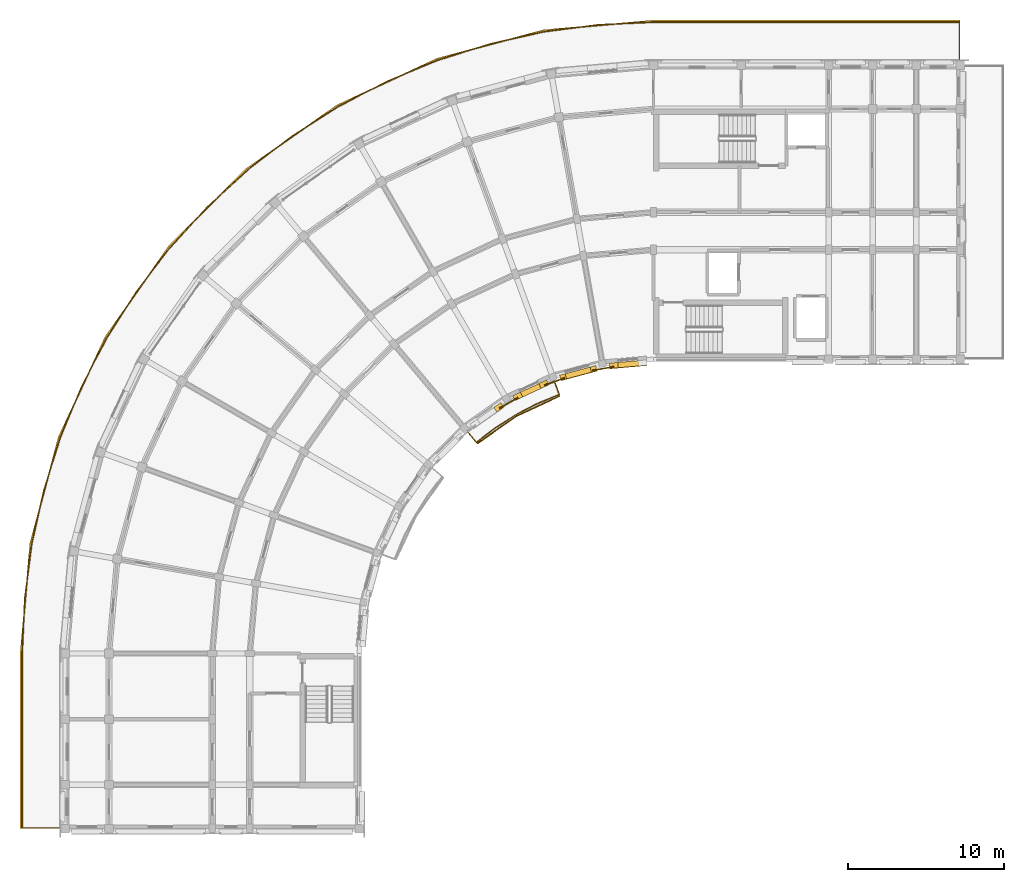
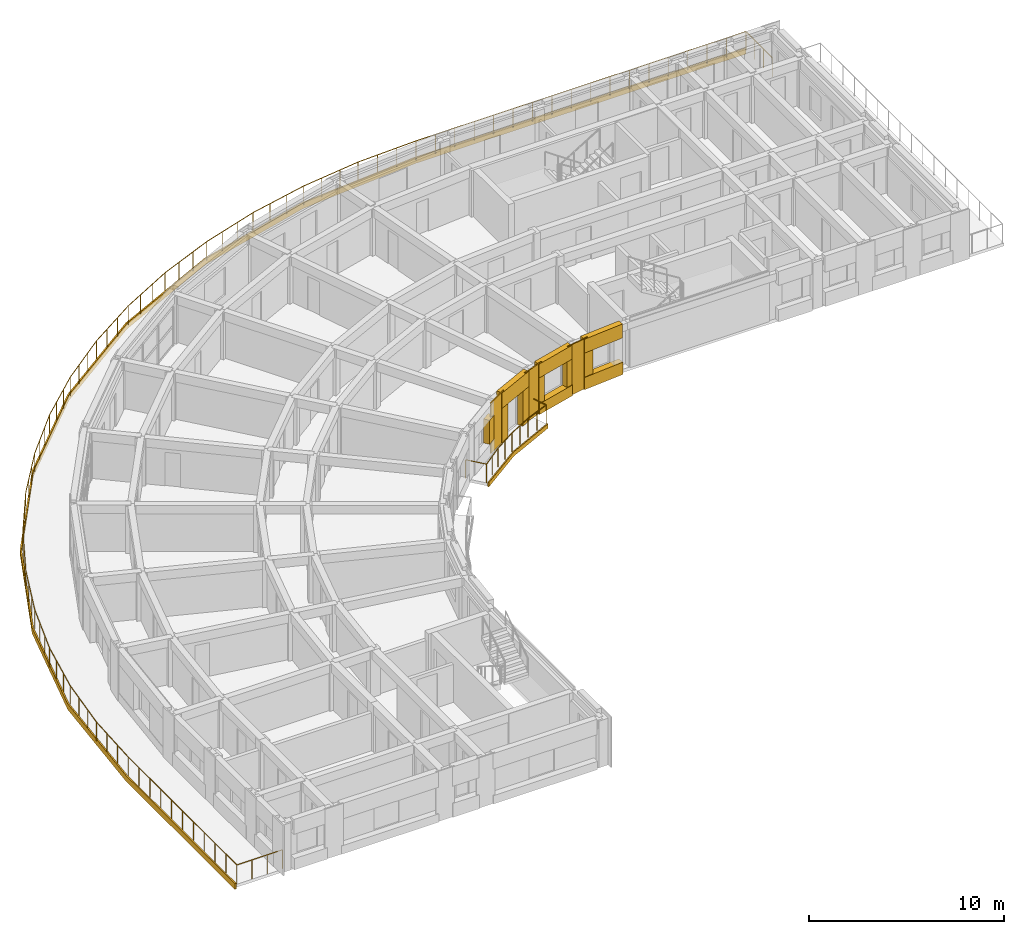
# One storey, part 14 of 16: 16 coverings, 2 railings.
"""IFC4 building model written with IfcOpenShell, lengths in metres."""

from ifc_helpers import new_model, si_unit, direction, frame, origin, origin_2d, place, context, subcontext, project, spatial, polyline, circle, outline, extrude, material, layer, layer_set, type_object, element, save


model = new_model("IFC4")

# Units and contexts
model_context = context("Model", 3, precision=1e-05, world=origin(), true_north=direction((0.0, 1.0)))
body_context = subcontext(model_context, "Body", "Model", "MODEL_VIEW")
ifc_project = project(units=[si_unit("LENGTHUNIT", "METRE"), si_unit("AREAUNIT", "SQUARE_METRE"), si_unit("VOLUMEUNIT", "CUBIC_METRE"), si_unit("PLANEANGLEUNIT", "RADIAN"), si_unit("MASSUNIT", "GRAM", prefix="KILO")], contexts=[model_context])

# Site, building, storey
site_placement = place(None, origin())
site = spatial("IfcSite", under=ifc_project, at=site_placement, CompositionType="ELEMENT")
building_placement = place(site_placement, origin())
building = spatial("IfcBuilding", under=site, at=building_placement, Name="Kiranvali Square Residences", CompositionType="ELEMENT")
storey_placement = place(building_placement, frame((0.0, 0.0, 46.5)))
storey = spatial("IfcBuildingStorey", under=building, at=storey_placement, Name="L14", CompositionType="ELEMENT", Elevation=46.5)

# Coverings
ifc_material_1 = material(Name="Carved Porbandar limestone classical entablature and cornice", Category="masonry")
ifc_layer_1 = layer(ifc_material_1, 0.449951171875)
ifc_layer_set_1 = layer_set([ifc_layer_1], Name="Carved Porbandar limestone classical entablature and cornice")
covering_type_1 = type_object("IfcCoveringType", Name="COV-CLAD-CORN", PredefinedType="CLADDING", material=ifc_layer_set_1)
covering_1_placement = place(storey_placement, frame((0.0, 0.0, -0.280029296875)))
element("IfcCovering", 1, at=covering_1_placement, inside=storey, type_object=covering_type_1, Name="Block A L14 stepped curved terrace stone cornice band", PredefinedType="CLADDING", context=body_context, shape_type="SweptSolid", body=[
    extrude(outline(polyline([(67.800048828125, 128.284912109375), (48.199951171875, 128.284912109375), (41.169921875, 127.669921875), (34.353271484375, 125.843505859375), (27.95751953125, 122.861083984375), (22.1767578125, 118.813232421875), (17.186767578125, 113.8232421875), (13.138916015625, 108.04248046875), (10.156494140625, 101.646728515625), (8.330078125, 94.830078125), (7.715087890625, 87.800048828125), (7.715087890625, 76.60009765625), (7.798095703125, 76.60009765625), (7.798095703125, 87.800048828125), (8.411865234375, 94.815673828125), (10.234619140625, 101.618408203125), (13.2109375, 108.0009765625), (17.250244140625, 113.77001953125), (22.22998046875, 118.749755859375), (27.9990234375, 122.7890625), (34.381591796875, 125.765380859375), (41.184326171875, 127.588134765625), (48.199951171875, 128.201904296875), (67.800048828125, 128.201904296875), (67.800048828125, 128.284912109375)])), origin(), (0.0, 0.0, 1.0), 0.360107421875),
])
ifc_layer_2 = layer(ifc_material_1, 0.06201171875)
ifc_layer_set_2 = layer_set([ifc_layer_2], Name="Carved Porbandar limestone classical entablature and cornice")
covering_type_2 = type_object("IfcCoveringType", Name="COV-CLAD-GBAL", PredefinedType="CLADDING", material=ifc_layer_set_2)
covering_2_placement = place(storey_placement, frame((0.0, 0.0, -0.219970703125)))
element("IfcCovering", 2, at=covering_2_placement, inside=storey, type_object=covering_type_2, Name="Block A L14 garden balcony limestone fascia 1", PredefinedType="CLADDING", context=body_context, shape_type="SweptSolid", body=[
    extrude(outline(polyline([(42.1982421875, 104.289794921875), (39.426025390625, 102.9970703125), (36.92041015625, 101.242431640625), (36.964111328125, 101.1904296875), (39.4599609375, 102.938232421875), (42.221435546875, 104.225830078125), (42.1982421875, 104.289794921875)])), origin(), (0.0, 0.0, 1.0), 0.27001953125),
])
ifc_material_2 = material(Name="Honed Porbandar limestone ashlar facade cladding", Category="masonry")
ifc_layer_3 = layer(ifc_material_2, 0.3798828125)
ifc_layer_set_3 = layer_set([ifc_layer_3], Name="Honed Porbandar limestone ashlar facade cladding")
covering_type_3 = type_object("IfcCoveringType", Name="COV-CLAD-JAMB", PredefinedType="CLADDING", material=ifc_layer_set_3)
covering_3_placement = place(storey_placement, frame((0.0, 0.0, 0.77197265625)))
element("IfcCovering", 3, at=covering_3_placement, inside=storey, type_object=covering_type_3, Name="L14 deep limestone window jamb reveal A-L14-GDN-00.R", PredefinedType="CLADDING", context=body_context, shape_type="SweptSolid", body=[
    extrude(outline(polyline([(45.920166015625, 106.400146484375), (45.373779296875, 106.352294921875), (45.4033203125, 106.013916015625), (45.94970703125, 106.061767578125), (45.920166015625, 106.400146484375)])), origin(), (0.0, 0.0, 1.0), 1.5),
])
covering_4_placement = place(storey_placement, frame((0.0, 0.0, 0.672119140625)))
element("IfcCovering", 4, at=covering_4_placement, inside=storey, type_object=covering_type_3, Name="L14 deep limestone window jamb reveal A-L14-GDN-01.L", PredefinedType="CLADDING", context=body_context, shape_type="SweptSolid", body=[
    extrude(outline(polyline([(44.510498046875, 106.199951171875), (44.149658203125, 106.103271484375), (44.237548828125, 105.775390625), (44.598388671875, 105.8720703125), (44.510498046875, 106.199951171875)])), origin(), (0.0, 0.0, 1.0), 1.599853515625),
])
covering_5_placement = place(storey_placement, frame((0.0, 0.0, 0.672119140625)))
element("IfcCovering", 5, at=covering_5_placement, inside=storey, type_object=covering_type_3, Name="L14 deep limestone window jamb reveal A-L14-GDN-01.R", PredefinedType="CLADDING", context=body_context, shape_type="SweptSolid", body=[
    extrude(outline(polyline([(42.555908203125, 105.67626953125), (42.195068359375, 105.57958984375), (42.282958984375, 105.251708984375), (42.643798828125, 105.348388671875), (42.555908203125, 105.67626953125)])), origin(), (0.0, 0.0, 1.0), 1.599853515625),
])
covering_6_placement = place(storey_placement, origin())
element("IfcCovering", 6, at=covering_6_placement, inside=storey, type_object=covering_type_3, Name="L14 deep limestone window jamb reveal A-L14-GDN-02.L", PredefinedType="CLADDING", context=body_context, shape_type="SweptSolid", body=[
    extrude(outline(polyline([(41.37158203125, 105.27978515625), (40.874267578125, 105.048095703125), (41.017822265625, 104.740234375), (41.514892578125, 104.97216796875), (41.37158203125, 105.27978515625)])), origin(), (0.0, 0.0, 1.0), 2.179931640625),
])
covering_7_placement = place(storey_placement, origin())
element("IfcCovering", 7, at=covering_7_placement, inside=storey, type_object=covering_type_3, Name="L14 deep limestone window jamb reveal A-L14-GDN-02.R", PredefinedType="CLADDING", context=body_context, shape_type="SweptSolid", body=[
    extrude(outline(polyline([(39.696044921875, 104.49853515625), (39.198974609375, 104.266845703125), (39.342529296875, 103.958984375), (39.839599609375, 104.19091796875), (39.696044921875, 104.49853515625)])), origin(), (0.0, 0.0, 1.0), 2.179931640625),
])
covering_8_placement = place(storey_placement, frame((0.0, 0.0, 0.77197265625)))
element("IfcCovering", 8, at=covering_8_placement, inside=storey, type_object=covering_type_3, Name="L14 deep limestone window jamb reveal A-L14-GDN-03.L", PredefinedType="CLADDING", context=body_context, shape_type="SweptSolid", body=[
    extrude(outline(polyline([(38.43994140625, 103.828369140625), (37.990478515625, 103.513916015625), (38.185302734375, 103.23583984375), (38.634521484375, 103.55029296875), (38.43994140625, 103.828369140625)])), origin(), (0.0, 0.0, 1.0), 1.5),
])
ifc_layer_4 = layer(ifc_material_2, 0.050048828125)
ifc_layer_set_4 = layer_set([ifc_layer_4], Name="Honed Porbandar limestone ashlar facade cladding")
covering_type_4 = type_object("IfcCoveringType", Name="COV-CLAD-PIER-IN", PredefinedType="CLADDING", material=ifc_layer_set_4)
covering_9_placement = place(storey_placement, frame((0.0, 0.0, 0.0048828125)))
element("IfcCovering", 9, at=covering_9_placement, inside=storey, type_object=covering_type_4, Name="L14 Classical garden courtyard pilaster CLAD-PRIN-A-L14-A01", PredefinedType="CLADDING", context=body_context, shape_type="SweptSolid", body=[
    extrude(outline(polyline([(44.330322265625, 105.859375), (45.65966796875, 106.09375), (45.64794921875, 106.160400390625), (44.318603515625, 105.92578125), (44.330322265625, 105.859375)])), origin(), (0.0, 0.0, 1.0), 3.14013671875),
])
covering_10_placement = place(storey_placement, frame((0.0, 0.0, 0.0048828125)))
element("IfcCovering", 10, at=covering_10_placement, inside=storey, type_object=covering_type_4, Name="L14 Classical garden courtyard pilaster CLAD-PRIN-A-L14-A02", PredefinedType="CLADDING", context=body_context, shape_type="SweptSolid", body=[
    extrude(outline(polyline([(41.2529296875, 104.9130859375), (42.521728515625, 105.374755859375), (42.49853515625, 105.438232421875), (41.22998046875, 104.9765625), (41.2529296875, 104.9130859375)])), origin(), (0.0, 0.0, 1.0), 3.14013671875),
])
covering_11_placement = place(storey_placement, frame((0.0, 0.0, 0.0048828125)))
element("IfcCovering", 11, at=covering_11_placement, inside=storey, type_object=covering_type_4, Name="L14 Classical garden courtyard pilaster CLAD-PRIN-A-L14-A03", PredefinedType="CLADDING", context=body_context, shape_type="SweptSolid", body=[
    extrude(outline(polyline([(38.386962890625, 103.44677734375), (39.55615234375, 104.121826171875), (39.522216796875, 104.18017578125), (38.353271484375, 103.505126953125), (38.386962890625, 103.44677734375)])), origin(), (0.0, 0.0, 1.0), 3.14013671875),
])
ifc_layer_5 = layer(ifc_material_2, 0.360107421875)
ifc_layer_set_5 = layer_set([ifc_layer_5], Name="Honed Porbandar limestone ashlar facade cladding")
covering_type_5 = type_object("IfcCoveringType", Name="COV-CLAD-WALL", PredefinedType="CLADDING", material=ifc_layer_set_5)
covering_12_placement = place(storey_placement, frame((0.0, 0.0, 2.27197265625)))
element("IfcCovering", 12, at=covering_12_placement, inside=storey, type_object=covering_type_5, Name="L14 light limestone spandrel lintel A-L14-GDN-00", PredefinedType="CLADDING", context=body_context, shape_type="SweptSolid", body=[
    extrude(outline(polyline([(47.76171875, 106.56103515625), (45.373779296875, 106.352294921875), (45.4033203125, 106.013916015625), (47.791259765625, 106.222900390625), (47.76171875, 106.56103515625)])), origin(), (0.0, 0.0, 1.0), 0.873046875),
])
covering_13_placement = place(storey_placement, frame((0.0, 0.0, 2.27197265625)))
element("IfcCovering", 13, at=covering_13_placement, inside=storey, type_object=covering_type_5, Name="L14 light limestone spandrel lintel A-L14-GDN-01", PredefinedType="CLADDING", context=body_context, shape_type="SweptSolid", body=[
    extrude(outline(polyline([(44.510498046875, 106.199951171875), (42.195068359375, 105.57958984375), (42.282958984375, 105.251708984375), (44.598388671875, 105.8720703125), (44.510498046875, 106.199951171875)])), origin(), (0.0, 0.0, 1.0), 0.873046875),
])
covering_14_placement = place(storey_placement, frame((0.0, 0.0, 2.179931640625)))
element("IfcCovering", 14, at=covering_14_placement, inside=storey, type_object=covering_type_5, Name="L14 light limestone spandrel lintel A-L14-GDN-02", PredefinedType="CLADDING", context=body_context, shape_type="SweptSolid", body=[
    extrude(outline(polyline([(41.37158203125, 105.27978515625), (39.198974609375, 104.266845703125), (39.342529296875, 103.958984375), (41.514892578125, 104.97216796875), (41.37158203125, 105.27978515625)])), origin(), (0.0, 0.0, 1.0), 0.965087890625),
])
ifc_layer_6 = layer(ifc_material_2, 0.320068359375)
ifc_layer_set_6 = layer_set([ifc_layer_6], Name="Honed Porbandar limestone ashlar facade cladding")
covering_type_6 = type_object("IfcCoveringType", Name="COV-CLAD-WALL-UP", PredefinedType="CLADDING", material=ifc_layer_set_6)
covering_15_placement = place(storey_placement, frame((0.0, 0.0, 0.0048828125)))
element("IfcCovering", 15, at=covering_15_placement, inside=storey, type_object=covering_type_6, Name="L14 limestone window sill apron A-L14-GDN-00", PredefinedType="CLADDING", context=body_context, shape_type="SweptSolid", body=[
    extrude(outline(polyline([(47.76171875, 106.56103515625), (45.373779296875, 106.352294921875), (45.406005859375, 105.984130859375), (47.7939453125, 106.193115234375), (47.76171875, 106.56103515625)])), origin(), (0.0, 0.0, 1.0), 0.76708984375),
])
covering_16_placement = place(storey_placement, frame((0.0, 0.0, 0.0048828125)))
element("IfcCovering", 16, at=covering_16_placement, inside=storey, type_object=covering_type_6, Name="L14 limestone window sill apron A-L14-GDN-01", PredefinedType="CLADDING", context=body_context, shape_type="SweptSolid", body=[
    extrude(outline(polyline([(44.510498046875, 106.199951171875), (42.195068359375, 105.57958984375), (42.290771484375, 105.22265625), (44.606201171875, 105.843017578125), (44.510498046875, 106.199951171875)])), origin(), (0.0, 0.0, 1.0), 0.667236328125),
])

# Railings
ifc_material_3 = material(Name="Powder-coated architectural bronze balustrade", Category="steel")
railing_type_1 = type_object("IfcRailingType", Name="RL-BAL-GOLD-1200", PredefinedType="BALUSTRADE", material=ifc_material_3)
railing_1_placement = place(storey_placement, frame((41.78369140625, 105.4287109375, 0.0)))
element("IfcRailing", 17, at=railing_1_placement, inside=storey, type_object=railing_type_1, Name="Block A L14 garden balcony gold balustrade 1", PredefinedType="BALUSTRADE", context=body_context, shape_type="SweptSolid", body=[
    extrude(circle(Radius=0.02392578125, at=origin_2d()), frame((0.0, 0.0, 1.17578125), z_axis=(0.341964618562, -0.939712828289, 0.0), x_axis=(0.939712828289, 0.341964618562, 0.0)), (0.0, 0.0, 1.0), 1.150146484375),
    extrude(circle(Radius=0.02392578125, at=origin_2d()), frame((0.393310546875, -1.080810546875, 1.17578125), z_axis=(-0.923892883829, -0.382651197843, 0.0), x_axis=(0.382651197843, -0.923892883829, 0.0)), (0.0, 0.0, 1.0), 1.536376953125),
    extrude(circle(Radius=0.02392578125, at=origin_2d()), frame((-1.026123046875, -1.668701171875, 1.17578125), z_axis=(-0.887029366154, -0.461713009976, 0.0), x_axis=(0.461713009976, -0.887029366154, 0.0)), (0.0, 0.0, 1.0), 1.5361328125),
    extrude(circle(Radius=0.02392578125, at=origin_2d()), frame((-2.388671875, -2.3779296875, 1.17578125), z_axis=(-0.843386539688, -0.537307309343, 0.0), x_axis=(0.537307309343, -0.843386539688, 0.0)), (0.0, 0.0, 1.0), 1.5361328125),
    extrude(circle(Radius=0.02392578125, at=origin_2d()), frame((-3.684326171875, -3.203369140625, 1.17578125), z_axis=(-0.793314680996, -0.608811807471, 0.0), x_axis=(0.608811807471, -0.793314680996, 0.0)), (0.0, 0.0, 1.0), 1.536376953125),
    extrude(circle(Radius=0.02392578125, at=origin_2d()), frame((-4.903076171875, -4.138671875, 1.17578125), z_axis=(-0.642853454051, 0.765989188314, 0.0), x_axis=(-0.765989188314, -0.642853454051, 0.0)), (0.0, 0.0, 1.0), 1.14990234375),
    extrude(circle(Radius=0.02099609375, at=origin_2d()), origin(), (0.0, 0.0, 1.0), 1.15185546875),
    extrude(circle(Radius=0.02099609375, at=origin_2d()), frame((0.393310546875, -1.080810546875, 0.0)), (0.0, 0.0, 1.0), 1.15185546875),
    extrude(circle(Radius=0.02099609375, at=origin_2d()), frame((-0.31640625, -1.374755859375, 0.0)), (0.0, 0.0, 1.0), 1.15185546875),
    extrude(circle(Radius=0.02099609375, at=origin_2d()), frame((-1.026123046875, -1.668701171875, 0.0)), (0.0, 0.0, 1.0), 1.15185546875),
    extrude(circle(Radius=0.02099609375, at=origin_2d()), frame((-1.70751953125, -2.0234375, 0.0)), (0.0, 0.0, 1.0), 1.15185546875),
    extrude(circle(Radius=0.02099609375, at=origin_2d()), frame((-2.388671875, -2.3779296875, 0.0)), (0.0, 0.0, 1.0), 1.15185546875),
    extrude(circle(Radius=0.02099609375, at=origin_2d()), frame((-3.03662109375, -2.79052734375, 0.0)), (0.0, 0.0, 1.0), 1.15185546875),
    extrude(circle(Radius=0.02099609375, at=origin_2d()), frame((-3.684326171875, -3.203369140625, 0.0)), (0.0, 0.0, 1.0), 1.15185546875),
    extrude(circle(Radius=0.02099609375, at=origin_2d()), frame((-4.293701171875, -3.6708984375, 0.0)), (0.0, 0.0, 1.0), 1.15185546875),
    extrude(circle(Radius=0.02099609375, at=origin_2d()), frame((-4.903076171875, -4.138671875, 0.0)), (0.0, 0.0, 1.0), 1.15185546875),
    extrude(circle(Radius=0.02099609375, at=origin_2d()), frame((-5.642333984375, -3.2578125, 0.0)), (0.0, 0.0, 1.0), 1.15185546875),
])
railing_type_2 = type_object("IfcRailingType", Name="RL-TER-GOLD-1200", PredefinedType="BALUSTRADE", material=ifc_material_3)
railing_2_placement = place(storey_placement, frame((67.75, 125.43994140625, 0.0)))
element("IfcRailing", 18, at=railing_2_placement, inside=storey, type_object=railing_type_2, Name="Block A L14 stepped curved corner terrace gold balustrade", PredefinedType="BALUSTRADE", context=body_context, shape_type="SweptSolid", body=[
    extrude(circle(Radius=0.02392578125, at=origin_2d()), frame((0.0, 0.0, 1.17578125), z_axis=(0.0, 1.0, 0.0), x_axis=(-1.0, 0.0, 0.0)), (0.0, 0.0, 1.0), 2.699951171875),
    extrude(circle(Radius=0.02392578125, at=origin_2d()), frame((0.0, 2.699951171875, 1.17578125), z_axis=(-1.0, 0.0, 0.0), x_axis=(0.0, -1.0, 0.0)), (0.0, 0.0, 1.0), 19.550048828125),
    extrude(circle(Radius=0.02392578125, at=origin_2d()), frame((-19.550048828125, 2.699951171875, 1.17578125), z_axis=(-0.999050521536, -0.043566677837, 0.0), x_axis=(0.043566677837, -0.999050521536, 0.0)), (0.0, 0.0, 1.0), 3.519287109375),
    extrude(circle(Radius=0.02392578125, at=origin_2d()), frame((-23.06591796875, 2.546630859375, 1.17578125), z_axis=(-0.991439885542, -0.130563981848, 0.0), x_axis=(0.130563981848, -0.991439885542, 0.0)), (0.0, 0.0, 1.0), 3.51904296875),
    extrude(circle(Radius=0.02392578125, at=origin_2d()), frame((-26.554931640625, 2.087158203125, 1.17578125), z_axis=(-0.976294672922, -0.216445632027, 0.0), x_axis=(0.216445632027, -0.976294672922, 0.0)), (0.0, 0.0, 1.0), 3.519287109375),
    extrude(circle(Radius=0.02392578125, at=origin_2d()), frame((-29.99072265625, 1.325439453125, 1.17578125), z_axis=(-0.95373142835, -0.300659878562, 0.0), x_axis=(0.300659878562, -0.95373142835, 0.0)), (0.0, 0.0, 1.0), 3.519287109375),
    extrude(circle(Radius=0.02392578125, at=origin_2d()), frame((-33.34716796875, 0.267333984375, 1.17578125), z_axis=(-0.923857014911, -0.382737790138, 0.0), x_axis=(0.382737790138, -0.923857014911, 0.0)), (0.0, 0.0, 1.0), 3.519287109375),
    extrude(circle(Radius=0.02392578125, at=origin_2d()), frame((-36.598388671875, -1.07958984375, 1.17578125), z_axis=(-0.887009989526, -0.461750233872, 0.0), x_axis=(0.461750233872, -0.887009989526, 0.0)), (0.0, 0.0, 1.0), 3.519287109375),
    extrude(circle(Radius=0.02392578125, at=origin_2d()), frame((-39.719970703125, -2.70458984375, 1.17578125), z_axis=(-0.843387143915, -0.537306360913, 0.0), x_axis=(0.537306360913, -0.843387143915, 0.0)), (0.0, 0.0, 1.0), 3.51904296875),
    extrude(circle(Radius=0.02392578125, at=origin_2d()), frame((-42.68798828125, -4.595458984375, 1.17578125), z_axis=(-0.793358414071, -0.608754816673, 0.0), x_axis=(0.608754816673, -0.793358414071, 0.0)), (0.0, 0.0, 1.0), 3.519287109375),
    extrude(circle(Radius=0.02392578125, at=origin_2d()), frame((-45.47998046875, -6.73779296875, 1.17578125), z_axis=(-0.737303864614, -0.675561256456, 0.0), x_axis=(0.675561256456, -0.737303864614, 0.0)), (0.0, 0.0, 1.0), 3.519287109375),
    extrude(circle(Radius=0.02392578125, at=origin_2d()), frame((-48.07470703125, -9.115234375, 1.17578125), z_axis=(-0.675561256456, -0.737303864614, 0.0), x_axis=(0.737303864614, -0.675561256456, 0.0)), (0.0, 0.0, 1.0), 3.519287109375),
    extrude(circle(Radius=0.02392578125, at=origin_2d()), frame((-50.4521484375, -11.7099609375, 1.17578125), z_axis=(-0.608754816673, -0.793358414071, 0.0), x_axis=(0.793358414071, -0.608754816673, 0.0)), (0.0, 0.0, 1.0), 3.519287109375),
    extrude(circle(Radius=0.02392578125, at=origin_2d()), frame((-52.594482421875, -14.501953125, 1.17578125), z_axis=(-0.537306360913, -0.843387143915, 0.0), x_axis=(0.843387143915, -0.537306360913, 0.0)), (0.0, 0.0, 1.0), 3.51904296875),
    extrude(circle(Radius=0.02392578125, at=origin_2d()), frame((-54.4853515625, -17.469970703125, 1.17578125), z_axis=(-0.461750233872, -0.887009989526, 0.0), x_axis=(0.887009989526, -0.461750233872, 0.0)), (0.0, 0.0, 1.0), 3.519287109375),
    extrude(circle(Radius=0.02392578125, at=origin_2d()), frame((-56.1103515625, -20.591552734375, 1.17578125), z_axis=(-0.382737790138, -0.923857014911, 0.0), x_axis=(0.923857014911, -0.382737790138, 0.0)), (0.0, 0.0, 1.0), 3.519287109375),
    extrude(circle(Radius=0.02392578125, at=origin_2d()), frame((-57.457275390625, -23.8427734375, 1.17578125), z_axis=(-0.300659878562, -0.95373142835, 0.0), x_axis=(0.95373142835, -0.300659878562, 0.0)), (0.0, 0.0, 1.0), 3.519287109375),
    extrude(circle(Radius=0.02392578125, at=origin_2d()), frame((-58.515380859375, -27.19921875, 1.17578125), z_axis=(-0.216445632027, -0.976294672922, 0.0), x_axis=(0.976294672922, -0.216445632027, 0.0)), (0.0, 0.0, 1.0), 3.519287109375),
    extrude(circle(Radius=0.02392578125, at=origin_2d()), frame((-59.277099609375, -30.635009765625, 1.17578125), z_axis=(-0.130563981848, -0.991439885542, 0.0), x_axis=(0.991439885542, -0.130563981848, 0.0)), (0.0, 0.0, 1.0), 3.51904296875),
    extrude(circle(Radius=0.02392578125, at=origin_2d()), frame((-59.736572265625, -34.1240234375, 1.17578125), z_axis=(-0.043566677837, -0.999050521536, 0.0), x_axis=(0.999050521536, -0.043566677837, 0.0)), (0.0, 0.0, 1.0), 3.519287109375),
    extrude(circle(Radius=0.02392578125, at=origin_2d()), frame((-59.889892578125, -37.639892578125, 1.17578125), z_axis=(0.0, -1.0, 0.0), x_axis=(1.0, 0.0, 0.0)), (0.0, 0.0, 1.0), 11.150146484375),
    extrude(circle(Radius=0.02392578125, at=origin_2d()), frame((-59.889892578125, -48.7900390625, 1.17578125), z_axis=(1.0, 0.0, 0.0), x_axis=(0.0, 1.0, 0.0)), (0.0, 0.0, 1.0), 2.699951171875),
    extrude(circle(Radius=0.02099609375, at=origin_2d()), origin(), (0.0, 0.0, 1.0), 1.15185546875),
    extrude(circle(Radius=0.02099609375, at=origin_2d()), frame((0.0, 0.89990234375, 0.0)), (0.0, 0.0, 1.0), 1.15185546875),
    extrude(circle(Radius=0.02099609375, at=origin_2d()), frame((0.0, 1.800048828125, 0.0)), (0.0, 0.0, 1.0), 1.15185546875),
    extrude(circle(Radius=0.02099609375, at=origin_2d()), frame((0.0, 2.699951171875, 0.0)), (0.0, 0.0, 1.0), 1.15185546875),
    extrude(circle(Radius=0.02099609375, at=origin_2d()), frame((-1.14990234375, 2.699951171875, 0.0)), (0.0, 0.0, 1.0), 1.15185546875),
    extrude(circle(Radius=0.02099609375, at=origin_2d()), frame((-2.300048828125, 2.699951171875, 0.0)), (0.0, 0.0, 1.0), 1.15185546875),
    extrude(circle(Radius=0.02099609375, at=origin_2d()), frame((-3.449951171875, 2.699951171875, 0.0)), (0.0, 0.0, 1.0), 1.15185546875),
    extrude(circle(Radius=0.02099609375, at=origin_2d()), frame((-4.60009765625, 2.699951171875, 0.0)), (0.0, 0.0, 1.0), 1.15185546875),
    extrude(circle(Radius=0.02099609375, at=origin_2d()), frame((-5.75, 2.699951171875, 0.0)), (0.0, 0.0, 1.0), 1.15185546875),
    extrude(circle(Radius=0.02099609375, at=origin_2d()), frame((-6.89990234375, 2.699951171875, 0.0)), (0.0, 0.0, 1.0), 1.15185546875),
    extrude(circle(Radius=0.02099609375, at=origin_2d()), frame((-8.050048828125, 2.699951171875, 0.0)), (0.0, 0.0, 1.0), 1.15185546875),
    extrude(circle(Radius=0.02099609375, at=origin_2d()), frame((-9.199951171875, 2.699951171875, 0.0)), (0.0, 0.0, 1.0), 1.15185546875),
    extrude(circle(Radius=0.02099609375, at=origin_2d()), frame((-10.35009765625, 2.699951171875, 0.0)), (0.0, 0.0, 1.0), 1.15185546875),
    extrude(circle(Radius=0.02099609375, at=origin_2d()), frame((-11.5, 2.699951171875, 0.0)), (0.0, 0.0, 1.0), 1.15185546875),
    extrude(circle(Radius=0.02099609375, at=origin_2d()), frame((-12.650146484375, 2.699951171875, 0.0)), (0.0, 0.0, 1.0), 1.15185546875),
    extrude(circle(Radius=0.02099609375, at=origin_2d()), frame((-13.800048828125, 2.699951171875, 0.0)), (0.0, 0.0, 1.0), 1.15185546875),
    extrude(circle(Radius=0.02099609375, at=origin_2d()), frame((-14.949951171875, 2.699951171875, 0.0)), (0.0, 0.0, 1.0), 1.15185546875),
    extrude(circle(Radius=0.02099609375, at=origin_2d()), frame((-16.10009765625, 2.699951171875, 0.0)), (0.0, 0.0, 1.0), 1.15185546875),
    extrude(circle(Radius=0.02099609375, at=origin_2d()), frame((-17.25, 2.699951171875, 0.0)), (0.0, 0.0, 1.0), 1.15185546875),
    extrude(circle(Radius=0.02099609375, at=origin_2d()), frame((-18.400146484375, 2.699951171875, 0.0)), (0.0, 0.0, 1.0), 1.15185546875),
    extrude(circle(Radius=0.02099609375, at=origin_2d()), frame((-19.550048828125, 2.699951171875, 0.0)), (0.0, 0.0, 1.0), 1.15185546875),
    extrude(circle(Radius=0.02099609375, at=origin_2d()), frame((-20.721923828125, 2.64892578125, 0.0)), (0.0, 0.0, 1.0), 1.15185546875),
    extrude(circle(Radius=0.02099609375, at=origin_2d()), frame((-21.89404296875, 2.59765625, 0.0)), (0.0, 0.0, 1.0), 1.15185546875),
    extrude(circle(Radius=0.02099609375, at=origin_2d()), frame((-23.06591796875, 2.546630859375, 0.0)), (0.0, 0.0, 1.0), 1.15185546875),
    extrude(circle(Radius=0.02099609375, at=origin_2d()), frame((-24.22900390625, 2.3935546875, 0.0)), (0.0, 0.0, 1.0), 1.15185546875),
    extrude(circle(Radius=0.02099609375, at=origin_2d()), frame((-25.391845703125, 2.240234375, 0.0)), (0.0, 0.0, 1.0), 1.15185546875),
    extrude(circle(Radius=0.02099609375, at=origin_2d()), frame((-26.554931640625, 2.087158203125, 0.0)), (0.0, 0.0, 1.0), 1.15185546875),
    extrude(circle(Radius=0.02099609375, at=origin_2d()), frame((-27.7001953125, 1.833251953125, 0.0)), (0.0, 0.0, 1.0), 1.15185546875),
    extrude(circle(Radius=0.02099609375, at=origin_2d()), frame((-28.845458984375, 1.579345703125, 0.0)), (0.0, 0.0, 1.0), 1.15185546875),
    extrude(circle(Radius=0.02099609375, at=origin_2d()), frame((-29.99072265625, 1.325439453125, 0.0)), (0.0, 0.0, 1.0), 1.15185546875),
    extrude(circle(Radius=0.02099609375, at=origin_2d()), frame((-31.109619140625, 0.97265625, 0.0)), (0.0, 0.0, 1.0), 1.15185546875),
    extrude(circle(Radius=0.02099609375, at=origin_2d()), frame((-32.228271484375, 0.6201171875, 0.0)), (0.0, 0.0, 1.0), 1.15185546875),
    extrude(circle(Radius=0.02099609375, at=origin_2d()), frame((-33.34716796875, 0.267333984375, 0.0)), (0.0, 0.0, 1.0), 1.15185546875),
    extrude(circle(Radius=0.02099609375, at=origin_2d()), frame((-34.430908203125, -0.181640625, 0.0)), (0.0, 0.0, 1.0), 1.15185546875),
    extrude(circle(Radius=0.02099609375, at=origin_2d()), frame((-35.5146484375, -0.630615234375, 0.0)), (0.0, 0.0, 1.0), 1.15185546875),
    extrude(circle(Radius=0.02099609375, at=origin_2d()), frame((-36.598388671875, -1.07958984375, 0.0)), (0.0, 0.0, 1.0), 1.15185546875),
    extrude(circle(Radius=0.02099609375, at=origin_2d()), frame((-37.638916015625, -1.621337890625, 0.0)), (0.0, 0.0, 1.0), 1.15185546875),
    extrude(circle(Radius=0.02099609375, at=origin_2d()), frame((-38.679443359375, -2.162841796875, 0.0)), (0.0, 0.0, 1.0), 1.15185546875),
    extrude(circle(Radius=0.02099609375, at=origin_2d()), frame((-39.719970703125, -2.70458984375, 0.0)), (0.0, 0.0, 1.0), 1.15185546875),
    extrude(circle(Radius=0.02099609375, at=origin_2d()), frame((-40.709228515625, -3.3349609375, 0.0)), (0.0, 0.0, 1.0), 1.15185546875),
    extrude(circle(Radius=0.02099609375, at=origin_2d()), frame((-41.69873046875, -3.965087890625, 0.0)), (0.0, 0.0, 1.0), 1.15185546875),
    extrude(circle(Radius=0.02099609375, at=origin_2d()), frame((-42.68798828125, -4.595458984375, 0.0)), (0.0, 0.0, 1.0), 1.15185546875),
    extrude(circle(Radius=0.02099609375, at=origin_2d()), frame((-43.61865234375, -5.3095703125, 0.0)), (0.0, 0.0, 1.0), 1.15185546875),
    extrude(circle(Radius=0.02099609375, at=origin_2d()), frame((-44.54931640625, -6.023681640625, 0.0)), (0.0, 0.0, 1.0), 1.15185546875),
    extrude(circle(Radius=0.02099609375, at=origin_2d()), frame((-45.47998046875, -6.73779296875, 0.0)), (0.0, 0.0, 1.0), 1.15185546875),
    extrude(circle(Radius=0.02099609375, at=origin_2d()), frame((-46.344970703125, -7.5302734375, 0.0)), (0.0, 0.0, 1.0), 1.15185546875),
    extrude(circle(Radius=0.02099609375, at=origin_2d()), frame((-47.209716796875, -8.32275390625, 0.0)), (0.0, 0.0, 1.0), 1.15185546875),
    extrude(circle(Radius=0.02099609375, at=origin_2d()), frame((-48.07470703125, -9.115234375, 0.0)), (0.0, 0.0, 1.0), 1.15185546875),
    extrude(circle(Radius=0.02099609375, at=origin_2d()), frame((-48.8671875, -9.980224609375, 0.0)), (0.0, 0.0, 1.0), 1.15185546875),
    extrude(circle(Radius=0.02099609375, at=origin_2d()), frame((-49.65966796875, -10.844970703125, 0.0)), (0.0, 0.0, 1.0), 1.15185546875),
    extrude(circle(Radius=0.02099609375, at=origin_2d()), frame((-50.4521484375, -11.7099609375, 0.0)), (0.0, 0.0, 1.0), 1.15185546875),
    extrude(circle(Radius=0.02099609375, at=origin_2d()), frame((-51.166259765625, -12.640625, 0.0)), (0.0, 0.0, 1.0), 1.15185546875),
    extrude(circle(Radius=0.02099609375, at=origin_2d()), frame((-51.88037109375, -13.5712890625, 0.0)), (0.0, 0.0, 1.0), 1.15185546875),
    extrude(circle(Radius=0.02099609375, at=origin_2d()), frame((-52.594482421875, -14.501953125, 0.0)), (0.0, 0.0, 1.0), 1.15185546875),
    extrude(circle(Radius=0.02099609375, at=origin_2d()), frame((-53.224853515625, -15.4912109375, 0.0)), (0.0, 0.0, 1.0), 1.15185546875),
    extrude(circle(Radius=0.02099609375, at=origin_2d()), frame((-53.85498046875, -16.480712890625, 0.0)), (0.0, 0.0, 1.0), 1.15185546875),
    extrude(circle(Radius=0.02099609375, at=origin_2d()), frame((-54.4853515625, -17.469970703125, 0.0)), (0.0, 0.0, 1.0), 1.15185546875),
    extrude(circle(Radius=0.02099609375, at=origin_2d()), frame((-55.027099609375, -18.510498046875, 0.0)), (0.0, 0.0, 1.0), 1.15185546875),
    extrude(circle(Radius=0.02099609375, at=origin_2d()), frame((-55.568603515625, -19.551025390625, 0.0)), (0.0, 0.0, 1.0), 1.15185546875),
    extrude(circle(Radius=0.02099609375, at=origin_2d()), frame((-56.1103515625, -20.591552734375, 0.0)), (0.0, 0.0, 1.0), 1.15185546875),
    extrude(circle(Radius=0.02099609375, at=origin_2d()), frame((-56.559326171875, -21.67529296875, 0.0)), (0.0, 0.0, 1.0), 1.15185546875),
    extrude(circle(Radius=0.02099609375, at=origin_2d()), frame((-57.00830078125, -22.759033203125, 0.0)), (0.0, 0.0, 1.0), 1.15185546875),
    extrude(circle(Radius=0.02099609375, at=origin_2d()), frame((-57.457275390625, -23.8427734375, 0.0)), (0.0, 0.0, 1.0), 1.15185546875),
    extrude(circle(Radius=0.02099609375, at=origin_2d()), frame((-57.81005859375, -24.961669921875, 0.0)), (0.0, 0.0, 1.0), 1.15185546875),
    extrude(circle(Radius=0.02099609375, at=origin_2d()), frame((-58.16259765625, -26.080322265625, 0.0)), (0.0, 0.0, 1.0), 1.15185546875),
    extrude(circle(Radius=0.02099609375, at=origin_2d()), frame((-58.515380859375, -27.19921875, 0.0)), (0.0, 0.0, 1.0), 1.15185546875),
    extrude(circle(Radius=0.02099609375, at=origin_2d()), frame((-58.769287109375, -28.344482421875, 0.0)), (0.0, 0.0, 1.0), 1.15185546875),
    extrude(circle(Radius=0.02099609375, at=origin_2d()), frame((-59.023193359375, -29.48974609375, 0.0)), (0.0, 0.0, 1.0), 1.15185546875),
    extrude(circle(Radius=0.02099609375, at=origin_2d()), frame((-59.277099609375, -30.635009765625, 0.0)), (0.0, 0.0, 1.0), 1.15185546875),
    extrude(circle(Radius=0.02099609375, at=origin_2d()), frame((-59.43017578125, -31.798095703125, 0.0)), (0.0, 0.0, 1.0), 1.15185546875),
    extrude(circle(Radius=0.02099609375, at=origin_2d()), frame((-59.58349609375, -32.9609375, 0.0)), (0.0, 0.0, 1.0), 1.15185546875),
    extrude(circle(Radius=0.02099609375, at=origin_2d()), frame((-59.736572265625, -34.1240234375, 0.0)), (0.0, 0.0, 1.0), 1.15185546875),
    extrude(circle(Radius=0.02099609375, at=origin_2d()), frame((-59.78759765625, -35.2958984375, 0.0)), (0.0, 0.0, 1.0), 1.15185546875),
    extrude(circle(Radius=0.02099609375, at=origin_2d()), frame((-59.8388671875, -36.468017578125, 0.0)), (0.0, 0.0, 1.0), 1.15185546875),
    extrude(circle(Radius=0.02099609375, at=origin_2d()), frame((-59.889892578125, -37.639892578125, 0.0)), (0.0, 0.0, 1.0), 1.15185546875),
    extrude(circle(Radius=0.02099609375, at=origin_2d()), frame((-59.889892578125, -38.7548828125, 0.0)), (0.0, 0.0, 1.0), 1.15185546875),
    extrude(circle(Radius=0.02099609375, at=origin_2d()), frame((-59.889892578125, -39.869873046875, 0.0)), (0.0, 0.0, 1.0), 1.15185546875),
    extrude(circle(Radius=0.02099609375, at=origin_2d()), frame((-59.889892578125, -40.98486328125, 0.0)), (0.0, 0.0, 1.0), 1.15185546875),
    extrude(circle(Radius=0.02099609375, at=origin_2d()), frame((-59.889892578125, -42.099853515625, 0.0)), (0.0, 0.0, 1.0), 1.15185546875),
    extrude(circle(Radius=0.02099609375, at=origin_2d()), frame((-59.889892578125, -43.21484375, 0.0)), (0.0, 0.0, 1.0), 1.15185546875),
    extrude(circle(Radius=0.02099609375, at=origin_2d()), frame((-59.889892578125, -44.330078125, 0.0)), (0.0, 0.0, 1.0), 1.15185546875),
    extrude(circle(Radius=0.02099609375, at=origin_2d()), frame((-59.889892578125, -45.445068359375, 0.0)), (0.0, 0.0, 1.0), 1.15185546875),
    extrude(circle(Radius=0.02099609375, at=origin_2d()), frame((-59.889892578125, -46.56005859375, 0.0)), (0.0, 0.0, 1.0), 1.15185546875),
    extrude(circle(Radius=0.02099609375, at=origin_2d()), frame((-59.889892578125, -47.675048828125, 0.0)), (0.0, 0.0, 1.0), 1.15185546875),
    extrude(circle(Radius=0.02099609375, at=origin_2d()), frame((-59.889892578125, -48.7900390625, 0.0)), (0.0, 0.0, 1.0), 1.15185546875),
    extrude(circle(Radius=0.02099609375, at=origin_2d()), frame((-58.989990234375, -48.7900390625, 0.0)), (0.0, 0.0, 1.0), 1.15185546875),
    extrude(circle(Radius=0.02099609375, at=origin_2d()), frame((-58.08984375, -48.7900390625, 0.0)), (0.0, 0.0, 1.0), 1.15185546875),
    extrude(circle(Radius=0.02099609375, at=origin_2d()), frame((-57.18994140625, -48.7900390625, 0.0)), (0.0, 0.0, 1.0), 1.15185546875),
])

save(model, "model.ifc")
